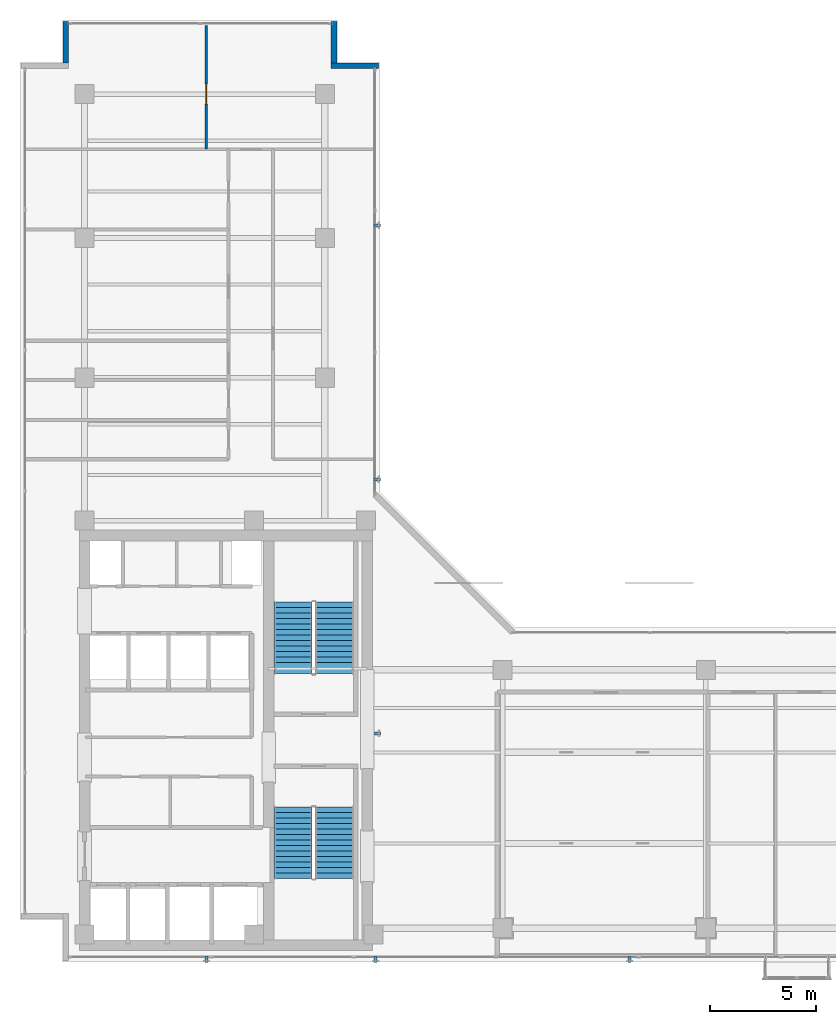
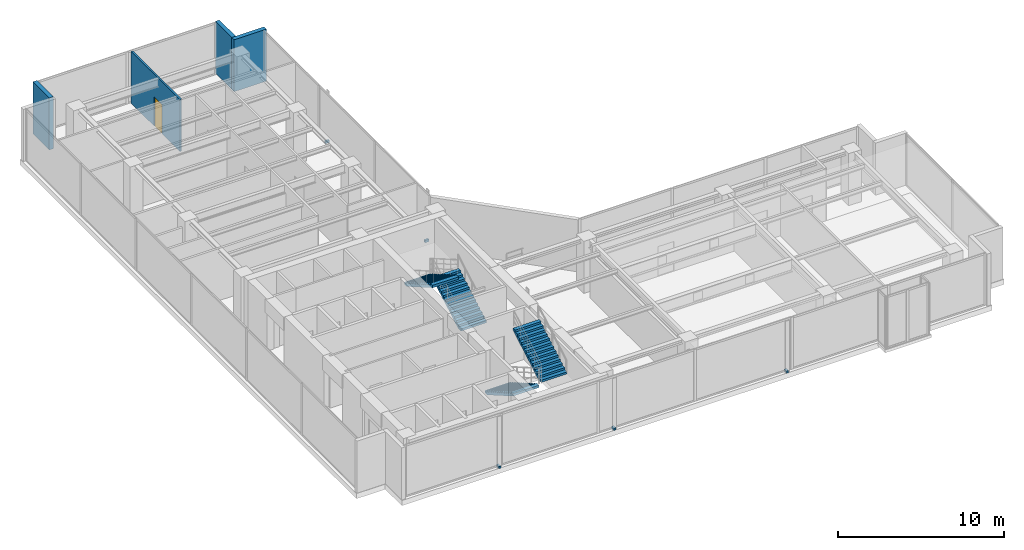
# One storey, part 27 of 32: 6 discrete accessories, 4 stair flights, 4 walls, 1 door, 1 opening, 2 elements without a shape of their own.
"""IFC4 building model written with IfcOpenShell, lengths in metres."""

import ifcopenshell
import ifcopenshell.guid

model = None  # the IFC model being written
_history = None  # IfcOwnerHistory: only IFC2X3 demands one
_inside = {}  # id of a spatial element -> (the spatial element, [elements in it])
_under = {}  # id of a project, library or spatial element -> (it, [spatial elements below it])
_declared = {}  # id of a project -> (the project, [libraries it declares])
_typed = {}  # id of a type object -> (the type object, [elements of that type])
_made_of = {}  # id of a material, layer set ... -> (it, [elements and type objects made of it])


def new_model(schema):
    """Start an empty IFC model of exactly this schema.

    Asked for "IFC4X3", IfcOpenShell would pick the latest addendum, in which some entities
    have other attributes; the version numbers below select the first issue.
    IFC2X3 requires an IfcOwnerHistory on every rooted entity: one is made here for all.
    """
    global model, _history
    if schema == "IFC4X3":
        model = ifcopenshell.file(schema_version=(4, 3, 0, 0))
    else:
        model = ifcopenshell.file(schema=schema)
    _inside.clear()
    _under.clear()
    _declared.clear()
    _typed.clear()
    _made_of.clear()
    _history = None
    if model.schema == "IFC2X3":
        org = make("IfcOrganization", Name="unknown")
        user = make(
            "IfcPersonAndOrganization",
            ThePerson=make("IfcPerson", FamilyName="unknown"),
            TheOrganization=org,
        )
        app = make(
            "IfcApplication",
            ApplicationDeveloper=org,
            Version="unknown",
            ApplicationFullName="unknown",
            ApplicationIdentifier="unknown",
        )
        _history = make(
            "IfcOwnerHistory",
            OwningUser=user,
            OwningApplication=app,
            ChangeAction="ADDED",
            CreationDate=0,
        )
    return model


def make(cls, **values):
    """One entity of the class cls with the attributes given. An attribute that is None is left unset."""
    return model.create_entity(
        cls, **{name: value for name, value in values.items() if value is not None}
    )


def rooted(cls, **values):
    """An entity with a GlobalId (a new one), such as an element, a storey or a relation."""
    return make(cls, GlobalId=ifcopenshell.guid.new(), OwnerHistory=_history, **values)


def si_unit(unit_type, name, prefix=None):
    """IfcSIUnit, for example si_unit("LENGTHUNIT", "METRE", prefix="MILLI")."""
    return make("IfcSIUnit", UnitType=unit_type, Prefix=prefix, Name=name)


def assignment(units):
    """IfcUnitAssignment: the units of a project."""
    return None if units is None else make("IfcUnitAssignment", Units=units)


def point(xyz):
    """IfcCartesianPoint."""
    return None if xyz is None else make("IfcCartesianPoint", Coordinates=xyz)


def direction(xyz):
    """IfcDirection."""
    return None if xyz is None else make("IfcDirection", DirectionRatios=xyz)


def frame(location, z_axis=None, x_axis=None):
    """IfcAxis2Placement3D, a coordinate frame: its origin and axes. An axis left out is left unset."""
    return make(
        "IfcAxis2Placement3D",
        Location=point(location),
        Axis=direction(z_axis),
        RefDirection=direction(x_axis),
    )


def frame_2d(location, x_axis=None):
    """IfcAxis2Placement2D, a coordinate frame in the plane: its origin and x axis."""
    return make(
        "IfcAxis2Placement2D", Location=point(location), RefDirection=direction(x_axis)
    )


def origin():
    """The frame at (0, 0, 0) with its axes left unset."""
    return frame((0.0, 0.0, 0.0))


def origin_with_axes():
    """The frame at (0, 0, 0) with the z axis (0, 0, 1) and the x axis (1, 0, 0) written out."""
    return frame((0.0, 0.0, 0.0), z_axis=(0.0, 0.0, 1.0), x_axis=(1.0, 0.0, 0.0))


def origin_2d():
    """The frame at (0, 0) in the plane with its x axis left unset."""
    return frame_2d((0.0, 0.0))


def place(relative_to, where):
    """IfcLocalPlacement: puts the frame where relative to a parent placement (None: the world)."""
    return make(
        "IfcLocalPlacement", PlacementRelTo=relative_to, RelativePlacement=where
    )


def context(
    kind, dimensions, precision=None, world=None, true_north=None, identifier=None
):
    """IfcGeometricRepresentationContext, for example the 3D "Model" context."""
    return make(
        "IfcGeometricRepresentationContext",
        ContextIdentifier=identifier,
        ContextType=kind,
        CoordinateSpaceDimension=dimensions,
        Precision=precision,
        WorldCoordinateSystem=world,
        TrueNorth=true_north,
    )


def subcontext(parent, identifier, kind, view, scale=None):
    """IfcGeometricRepresentationSubContext, for example "Body" below "Model"."""
    return make(
        "IfcGeometricRepresentationSubContext",
        ContextIdentifier=identifier,
        ContextType=kind,
        ParentContext=parent,
        TargetScale=scale,
        TargetView=view,
    )


def project(units=None, contexts=None):
    """IfcProject with its units and contexts."""
    return rooted(
        "IfcProject",
        Name="project",
        RepresentationContexts=contexts,
        UnitsInContext=assignment(units),
    )


def spatial(cls, under=None, at=None, **own):
    """A site, building, storey or space (cls), placed at a placement, below another one or the project."""
    s = rooted(cls, ObjectPlacement=at, **own)
    if under is not None:
        _under.setdefault(under.id(), (under, []))[1].append(s)
    return s


def polyline(points):
    """IfcPolyline through the points."""
    return make("IfcPolyline", Points=[point(p) for p in points])


def profile(cls, at=None, kind="AREA", **sizes):
    """A parametric profile (cls). Its sizes go by their IFC names, for example OverallWidth=200.0."""
    return make(cls, ProfileType=kind, Position=at, **sizes)


def rectangle(**sizes):
    """IfcRectangleProfileDef."""
    return profile("IfcRectangleProfileDef", **sizes)


def outline(outer, holes=None, kind="AREA"):
    """IfcArbitraryClosedProfileDef: a profile drawn as a closed curve; with holes, ...WithVoids."""
    if holes is None:
        return make("IfcArbitraryClosedProfileDef", ProfileType=kind, OuterCurve=outer)
    return make(
        "IfcArbitraryProfileDefWithVoids",
        ProfileType=kind,
        OuterCurve=outer,
        InnerCurves=holes,
    )


def extrude(swept, where, along, depth):
    """IfcExtrudedAreaSolid: the profile swept, set in the frame where, extruded along a direction by depth."""
    return make(
        "IfcExtrudedAreaSolid",
        SweptArea=swept,
        Position=where,
        ExtrudedDirection=direction(along),
        Depth=depth,
    )


def shape(context_of_items, identifier, shape_type, items):
    """IfcShapeRepresentation: the items that make up one representation, for example the "Body"."""
    return make(
        "IfcShapeRepresentation",
        ContextOfItems=context_of_items,
        RepresentationIdentifier=identifier,
        RepresentationType=shape_type,
        Items=items,
    )


def source(mapping_origin, context_of_items, identifier, shape_type, items):
    """IfcRepresentationMap: a shape defined once, which mapped items show again and again."""
    return make(
        "IfcRepresentationMap",
        MappingOrigin=mapping_origin,
        MappedRepresentation=shape(context_of_items, identifier, shape_type, items),
    )


def transform(
    local_origin,
    x_axis=None,
    y_axis=None,
    z_axis=None,
    scale=None,
    scale2=None,
    scale3=None,
    uniform=True,
):
    """IfcCartesianTransformationOperator3D, or its non-uniform kind. x_axis, y_axis, z_axis: its Axis1, 2, 3."""
    if uniform:
        return make(
            "IfcCartesianTransformationOperator3D",
            Axis1=direction(x_axis),
            Axis2=direction(y_axis),
            LocalOrigin=point(local_origin),
            Scale=scale,
            Axis3=direction(z_axis),
        )
    return make(
        "IfcCartesianTransformationOperator3DnonUniform",
        Axis1=direction(x_axis),
        Axis2=direction(y_axis),
        LocalOrigin=point(local_origin),
        Scale=scale,
        Axis3=direction(z_axis),
        Scale2=scale2,
        Scale3=scale3,
    )


def mapped(mapping_source, mapping_target):
    """IfcMappedItem: shows the shape of a source again, moved by a transform."""
    return make(
        "IfcMappedItem", MappingSource=mapping_source, MappingTarget=mapping_target
    )


def material(Name=None, Category=None):
    """IfcMaterial."""
    return make("IfcMaterial", Name=Name, Category=Category)


def layer(
    of_material, thickness, ventilated=None, Name=None, Category=None, Priority=None
):
    """IfcMaterialLayer: one layer of a wall or slab, of a material (None: an air gap)."""
    return make(
        "IfcMaterialLayer",
        Material=of_material,
        LayerThickness=thickness,
        IsVentilated=ventilated,
        Name=Name,
        Category=Category,
        Priority=Priority,
    )


def layer_set(layers, Name=None):
    """IfcMaterialLayerSet."""
    return make("IfcMaterialLayerSet", MaterialLayers=layers, LayerSetName=Name)


def made_of(thing, what):
    """Note that an element or type object is made of a material, layer set ...; save() writes the relation."""
    if what is not None:
        _made_of.setdefault(what.id(), (what, []))[1].append(thing)
    return thing


def type_object(cls, material=None, **own):
    """A type object (cls), such as IfcWallType, which elements share."""
    return made_of(rooted(cls, **own), material)


def element(
    cls,
    number,
    at=None,
    inside=None,
    cuts=None,
    type_object=None,
    material=None,
    context=None,
    identifier="Body",
    shape_type=None,
    held_by="IfcProductDefinitionShape",
    body=None,
    shapes=None,
    **own,
):
    """One element of the class cls, such as IfcWall. Its Tag is "e" and its number.

    at: its placement. inside: the storey or other place that contains it. cuts: it is an
    opening in that element (IfcRelVoidsElement). A single representation is given by context,
    identifier, shape_type and body (its items); several are given by shapes. held_by: the class
    of the entity that holds the representations. save() writes the other relations.
    """
    e = rooted(cls, Tag="e%d" % number, ObjectPlacement=at, **own)
    if body is not None:
        shapes = [shape(context, identifier, shape_type, body)]
    if shapes is not None:
        e.Representation = make(held_by, Representations=shapes)
    if inside is not None:
        _inside.setdefault(inside.id(), (inside, []))[1].append(e)
    if cuts is not None:
        rooted(
            "IfcRelVoidsElement", RelatingBuildingElement=cuts, RelatedOpeningElement=e
        )
    if type_object is not None:
        _typed.setdefault(type_object.id(), (type_object, []))[1].append(e)
    return made_of(e, material)


def fill(opening, filler):
    """IfcRelFillsElement: the door or window that sits in an opening."""
    return rooted(
        "IfcRelFillsElement",
        RelatingOpeningElement=opening,
        RelatedBuildingElement=filler,
    )


def aggregate(whole, parts):
    """IfcRelAggregates: a whole, such as a stair, and the parts it consists of."""
    return rooted("IfcRelAggregates", RelatingObject=whole, RelatedObjects=parts)


def save(model, path):
    """Write the relations noted so far, then the file.

    IfcRelAggregates (storeys below a building ...), IfcRelContainedInSpatialStructure (elements
    in a storey), IfcRelDefinesByType, IfcRelAssociatesMaterial and IfcRelDeclares: one each for
    every whole, place, type object, material and project.
    """
    for whole, parts in _under.values():
        aggregate(whole, parts)
    for where, things in _inside.values():
        rooted(
            "IfcRelContainedInSpatialStructure",
            RelatedElements=things,
            RelatingStructure=where,
        )
    for kind, things in _typed.values():
        rooted("IfcRelDefinesByType", RelatedObjects=things, RelatingType=kind)
    for what, things in _made_of.values():
        rooted("IfcRelAssociatesMaterial", RelatedObjects=things, RelatingMaterial=what)
    for by, libraries in _declared.values():
        rooted("IfcRelDeclares", RelatingContext=by, RelatedDefinitions=libraries)
    model.write(path)


model = new_model("IFC4")

# Units and contexts
model_context = context("Model", 3, precision=1e-05, world=origin(), true_north=direction((0.0, 1.0)))
body_context = subcontext(model_context, "Body", "Model", "MODEL_VIEW")
ifc_project = project(units=[si_unit("LENGTHUNIT", "METRE"), si_unit("AREAUNIT", "SQUARE_METRE"), si_unit("VOLUMEUNIT", "CUBIC_METRE"), si_unit("PLANEANGLEUNIT", "RADIAN"), si_unit("MASSUNIT", "GRAM", prefix="KILO")], contexts=[model_context])

# Site, building, storey
site_placement = place(None, origin())
site = spatial("IfcSite", under=ifc_project, at=site_placement, CompositionType="ELEMENT")
building_placement = place(site_placement, origin())
building = spatial("IfcBuilding", under=site, at=building_placement, Name="Kolvaren Waterfront Exchange", CompositionType="ELEMENT")
storey_placement = place(building_placement, frame((0.0, 0.0, 352.0)))
storey = spatial("IfcBuildingStorey", under=building, at=storey_placement, Name="L90", CompositionType="ELEMENT", Elevation=352.0)

# Walls
ifc_material_1 = material(Name="Precast concrete C40/50", Category="concrete")
ifc_layer_1 = layer(ifc_material_1, 0.280029296875, Name="Precast concrete C40/50")
ifc_layer_set_1 = layer_set([ifc_layer_1], Name="Precast concrete C40/50")
wall_type_1 = type_object("IfcWallType", Name="ARC-EXT-TERR-280", PredefinedType="SOLIDWALL", material=ifc_layer_set_1)
wall_1_placement = place(storey_placement, frame((19.10009765625, 45.93994140625, 0.0), z_axis=(0.0, 0.0, 1.0), x_axis=(1.0, 0.0, 0.0)))
element("IfcWall", 1, at=wall_1_placement, inside=storey, type_object=wall_type_1, Name="L90 notched corner spandrel pier NNE-A", PredefinedType="SOLIDWALL", context=body_context, shape_type="SweptSolid", body=[
    extrude(rectangle(XDim=2.239990234375, YDim=0.280029296875, at=frame_2d((1.1201171875, 0.0))), origin(), (0.0, 0.0, 1.0), 3.820068359375),
])
for number, where, z_axis, x_axis, name in (
    (2, (19.239990234375, 46.080078125, 0.0), (0.0, 0.0, 1.0), (0.0, 1.0, 0.0), "L90 notched corner spandrel pier NNE-B"),
    (3, (6.56005859375, 46.080078125, 0.0), (0.0, 0.0, 1.0), (0.0, 1.0, 0.0), "L90 notched corner spandrel pier NW-B"),
):
    element("IfcWall", number, at=place(storey_placement, frame(where, z_axis=z_axis, x_axis=x_axis)), inside=storey, type_object=wall_type_1, Name=name, PredefinedType="SOLIDWALL", context=body_context, shape_type="SweptSolid", body=[
        extrude(rectangle(XDim=1.9599609375, YDim=0.280029296875, at=frame_2d((0.97998046875, 0.0))), origin(), (0.0, 0.0, 1.0), 3.820068359375),
    ])

# Wall, opening, door
ifc_material_2 = material(Name="Acoustic gypsum steel stud", Category="steel")
ifc_layer_2 = layer(ifc_material_2, 0.125, Name="Acoustic gypsum steel stud")
ifc_layer_set_2 = layer_set([ifc_layer_2], Name="Acoustic gypsum steel stud")
wall_type_2 = type_object("IfcWallType", Name="ARC-PART-125", PredefinedType="PARTITIONING", material=ifc_layer_set_2)
wall_2_placement = place(storey_placement, frame((13.199951171875, 42.0, 0.0), z_axis=(0.0, 0.0, 1.0), x_axis=(0.0, 1.0, 0.0)))
wall_2 = element("IfcWall", 4, at=wall_2_placement, inside=storey, type_object=wall_type_2, Name="L90 interior wall PW-L90-CR-NTIP-DIV", PredefinedType="PARTITIONING", context=body_context, shape_type="SweptSolid", body=[
    extrude(rectangle(XDim=5.85009765625, YDim=0.125, at=frame_2d((2.925048828125, 0.0))), origin(), (0.0, 0.0, 1.0), 3.820068359375),
])
opening_placement = place(wall_2_placement, frame((2.125, 0.0, 0.0)))
opening = element("IfcOpeningElement", 5, at=opening_placement, cuts=wall_2, Name="Opening D02", PredefinedType="OPENING", context=body_context, shape_type="SweptSolid", body=[
    extrude(rectangle(XDim=0.949951171875, YDim=2.14990234375, at=frame_2d((0.47509765625, 1.074951171875))), frame((0.0, 0.072509765625, 0.0), z_axis=(0.0, -1.0, 0.0), x_axis=(1.0, 0.0, 0.0)), (0.0, 0.0, 1.0), 0.14501953125),
])
ifc_material_3 = material(Name="Oak veneer acoustic timber", Category="wood")
door_type = type_object("IfcDoorType", Name="ARC-DR-950", OperationType="NOTDEFINED", PredefinedType="DOOR", material=ifc_material_3)
door_placement = place(opening_placement, origin())
door = element("IfcDoor", 6, at=door_placement, inside=storey, type_object=door_type, Name="L90 door DR-L90-CRNTW-D (D02)", OperationType="SINGLE_SWING_RIGHT", OverallHeight=2.14990234375, OverallWidth=0.949951171875, PredefinedType="DOOR", context=body_context, shape_type="SweptSolid", body=[
    extrude(rectangle(XDim=0.949951171875, YDim=2.14990234375, at=frame_2d((0.47509765625, 1.074951171875))), frame((0.0, 0.02490234375, 0.0), z_axis=(0.0, -1.0, 0.0), x_axis=(1.0, 0.0, 0.0)), (0.0, 0.0, 1.0), 0.050048828125),
])
fill(opening, door)

# Stair, stair flights
ifc_material_4 = material(Name="Concrete C40/50", Category="concrete")
stair_type = type_object("IfcStairType", Name="ARC-STAIR-4200", PredefinedType="HALF_TURN_STAIR", material=ifc_material_4)
stair_1_placement = place(storey_placement, origin())
stair_1 = element("IfcStair", 7, at=stair_1_placement, inside=storey, type_object=stair_type, Name="L90 Smoke-proof exit stair ST1", PredefinedType="HALF_TURN_STAIR")
stair_flight_type = type_object("IfcStairFlightType", Name="ARC-FLIGHT-4200", PredefinedType="STRAIGHT", material=ifc_material_4)
stair_flight_1_placement = place(storey_placement, frame((17.300048828125, 10.929931640625, 0.0), z_axis=(0.0, 0.0, 1.0), x_axis=(0.0, -1.0, 0.0)))
stair_flight_1 = element("IfcStairFlight", 8, at=stair_flight_1_placement, type_object=stair_flight_type, Name="ST1 flight 1", NumberOfRisers=14, NumberOfTreads=13, PredefinedType="STRAIGHT", RiserHeight=0.15, TreadLength=0.26, context=body_context, shape_type="SweptSolid", body=[
    extrude(outline(polyline([(0.0, 0.0), (0.0, 0.14990234375), (0.260009765625, 0.14990234375), (0.260009765625, 0.300048828125), (0.52001953125, 0.300048828125), (0.52001953125, 0.449951171875), (0.780029296875, 0.449951171875), (0.780029296875, 0.60009765625), (1.0400390625, 0.60009765625), (1.0400390625, 0.75), (1.300048828125, 0.75), (1.300048828125, 0.89990234375), (1.56005859375, 0.89990234375), (1.56005859375, 1.050048828125), (1.820068359375, 1.050048828125), (1.820068359375, 1.199951171875), (2.080078125, 1.199951171875), (2.080078125, 1.35009765625), (2.340087890625, 1.35009765625), (2.340087890625, 1.5), (2.60009765625, 1.5), (2.60009765625, 1.64990234375), (2.860107421875, 1.64990234375), (2.860107421875, 1.800048828125), (3.1201171875, 1.800048828125), (3.1201171875, 1.949951171875), (3.3798828125, 1.949951171875), (3.3798828125, 2.10009765625), (3.3798828125, 1.77685546875), (0.300048828125, 0.0), (0.0, 0.0)])), frame((0.0, 0.89990234375, 0.0), z_axis=(0.0, -1.0, 0.0), x_axis=(1.0, 0.0, 0.0)), (0.0, 0.0, 1.0), 1.800048828125),
])
stair_flight_2_placement = place(storey_placement, frame((19.260009765625, 7.550048828125, 2.10009765625), z_axis=(0.0, 0.0, 1.0), x_axis=(0.0, 1.0, 0.0)))
stair_flight_2 = element("IfcStairFlight", 9, at=stair_flight_2_placement, type_object=stair_flight_type, Name="ST1 flight 2", NumberOfRisers=14, NumberOfTreads=13, PredefinedType="STRAIGHT", RiserHeight=0.15, TreadLength=0.26, context=body_context, shape_type="SweptSolid", body=[
    extrude(outline(polyline([(0.0, 0.0), (0.0, 0.14990234375), (0.260009765625, 0.14990234375), (0.260009765625, 0.300048828125), (0.52001953125, 0.300048828125), (0.52001953125, 0.449951171875), (0.780029296875, 0.449951171875), (0.780029296875, 0.60009765625), (1.0400390625, 0.60009765625), (1.0400390625, 0.75), (1.300048828125, 0.75), (1.300048828125, 0.89990234375), (1.56005859375, 0.89990234375), (1.56005859375, 1.050048828125), (1.820068359375, 1.050048828125), (1.820068359375, 1.199951171875), (2.080078125, 1.199951171875), (2.080078125, 1.35009765625), (2.340087890625, 1.35009765625), (2.340087890625, 1.5), (2.60009765625, 1.5), (2.60009765625, 1.64990234375), (2.860107421875, 1.64990234375), (2.860107421875, 1.800048828125), (3.1201171875, 1.800048828125), (3.1201171875, 1.949951171875), (3.3798828125, 1.949951171875), (3.3798828125, 2.10009765625), (3.3798828125, 1.77685546875), (0.300048828125, 0.0), (0.0, 0.0)])), frame((0.0, 0.89990234375, 0.0), z_axis=(0.0, -1.0, 0.0), x_axis=(1.0, 0.0, 0.0)), (0.0, 0.0, 1.0), 1.800048828125),
])
aggregate(stair_1, [stair_flight_1, stair_flight_2])

stair_2_placement = place(storey_placement, origin())
stair_2 = element("IfcStair", 10, at=stair_2_placement, inside=storey, type_object=stair_type, Name="L90 Smoke-proof exit stair ST2", PredefinedType="HALF_TURN_STAIR")
stair_flight_3_placement = place(storey_placement, frame((19.260009765625, 17.219970703125, 0.0), z_axis=(0.0, 0.0, 1.0), x_axis=(0.0, 1.0, 0.0)))
stair_flight_3 = element("IfcStairFlight", 11, at=stair_flight_3_placement, type_object=stair_flight_type, Name="ST2 flight 1", NumberOfRisers=14, NumberOfTreads=13, PredefinedType="STRAIGHT", RiserHeight=0.15, TreadLength=0.26, context=body_context, shape_type="SweptSolid", body=[
    extrude(outline(polyline([(0.0, 0.0), (0.0, 0.14990234375), (0.260009765625, 0.14990234375), (0.260009765625, 0.300048828125), (0.52001953125, 0.300048828125), (0.52001953125, 0.449951171875), (0.780029296875, 0.449951171875), (0.780029296875, 0.60009765625), (1.0400390625, 0.60009765625), (1.0400390625, 0.75), (1.300048828125, 0.75), (1.300048828125, 0.89990234375), (1.56005859375, 0.89990234375), (1.56005859375, 1.050048828125), (1.820068359375, 1.050048828125), (1.820068359375, 1.199951171875), (2.080078125, 1.199951171875), (2.080078125, 1.35009765625), (2.340087890625, 1.35009765625), (2.340087890625, 1.5), (2.60009765625, 1.5), (2.60009765625, 1.64990234375), (2.860107421875, 1.64990234375), (2.860107421875, 1.800048828125), (3.1201171875, 1.800048828125), (3.1201171875, 1.949951171875), (3.3798828125, 1.949951171875), (3.3798828125, 2.10009765625), (3.3798828125, 1.77685546875), (0.300048828125, 0.0), (0.0, 0.0)])), frame((0.0, 0.89990234375, 0.0), z_axis=(0.0, -1.0, 0.0), x_axis=(1.0, 0.0, 0.0)), (0.0, 0.0, 1.0), 1.800048828125),
])
stair_flight_4_placement = place(storey_placement, frame((17.300048828125, 20.60009765625, 2.10009765625), z_axis=(0.0, 0.0, 1.0), x_axis=(0.0, -1.0, 0.0)))
stair_flight_4 = element("IfcStairFlight", 12, at=stair_flight_4_placement, type_object=stair_flight_type, Name="ST2 flight 2", NumberOfRisers=14, NumberOfTreads=13, PredefinedType="STRAIGHT", RiserHeight=0.15, TreadLength=0.26, context=body_context, shape_type="SweptSolid", body=[
    extrude(outline(polyline([(0.0, 0.0), (0.0, 0.14990234375), (0.260009765625, 0.14990234375), (0.260009765625, 0.300048828125), (0.52001953125, 0.300048828125), (0.52001953125, 0.449951171875), (0.780029296875, 0.449951171875), (0.780029296875, 0.60009765625), (1.0400390625, 0.60009765625), (1.0400390625, 0.75), (1.300048828125, 0.75), (1.300048828125, 0.89990234375), (1.56005859375, 0.89990234375), (1.56005859375, 1.050048828125), (1.820068359375, 1.050048828125), (1.820068359375, 1.199951171875), (2.080078125, 1.199951171875), (2.080078125, 1.35009765625), (2.340087890625, 1.35009765625), (2.340087890625, 1.5), (2.60009765625, 1.5), (2.60009765625, 1.64990234375), (2.860107421875, 1.64990234375), (2.860107421875, 1.800048828125), (3.1201171875, 1.800048828125), (3.1201171875, 1.949951171875), (3.3798828125, 1.949951171875), (3.3798828125, 2.10009765625), (3.3798828125, 1.77685546875), (0.300048828125, 0.0), (0.0, 0.0)])), frame((0.0, 0.89990234375, 0.0), z_axis=(0.0, -1.0, 0.0), x_axis=(1.0, 0.0, 0.0)), (0.0, 0.0, 1.0), 1.800048828125),
])
aggregate(stair_2, [stair_flight_3, stair_flight_4])

# Discrete accessories
ifc_material_5 = material(Name="Stainless steel 316", Category="steel")
discrete_accessory_type = type_object("IfcDiscreteAccessoryType", Name="ARC-BRK-FIN", PredefinedType="BRACKET", material=ifc_material_5)
shared_shape = source(origin_with_axes(), body_context, "Body", "SweptSolid", [
    extrude(rectangle(XDim=0.280029296875, YDim=0.139892578125, at=origin_2d()), origin(), (0.0, 0.0, 1.0), 0.159912109375),
])
for number, where, z_axis, x_axis, name in (
    (13, (13.199951171875, 3.719970703125, 0.0), (0.0, 0.0, 1.0), (0.0, -1.0, 0.0), "L90 bronze fin anchor bracket FIN-L90-S1"),
    (14, (21.199951171875, 3.719970703125, 0.0), (0.0, 0.0, 1.0), (0.0, -1.0, 0.0), "L90 bronze fin anchor bracket FIN-L90-S2"),
    (15, (33.199951171875, 3.719970703125, 0.0), (0.0, 0.0, 1.0), (0.0, -1.0, 0.0), "L90 bronze fin anchor bracket FIN-L90-S3"),
    (16, (21.280029296875, 14.39990234375, 0.0), (0.0, 0.0, 1.0), (1.0, 0.0, 0.0), "L90 bronze fin anchor bracket FIN-L90-E1"),
    (17, (21.280029296875, 26.39990234375, 0.0), (0.0, 0.0, 1.0), (1.0, 0.0, 0.0), "L90 bronze fin anchor bracket FIN-L90-E2"),
    (18, (21.280029296875, 38.39990234375, 0.0), (0.0, 0.0, 1.0), (1.0, 0.0, 0.0), "L90 bronze fin anchor bracket FIN-L90-E3"),
):
    element("IfcDiscreteAccessory", number, at=place(storey_placement, frame(where, z_axis=z_axis, x_axis=x_axis)), inside=storey, type_object=discrete_accessory_type, Name=name, PredefinedType="BRACKET", context=body_context, shape_type="MappedRepresentation", body=[
        mapped(shared_shape, transform((0.0, 0.0, 0.0), x_axis=(1.0, 0.0, 0.0), y_axis=(0.0, 1.0, 0.0), z_axis=(0.0, 0.0, 1.0), scale=1.0)),
    ])

save(model, "model.ifc")
